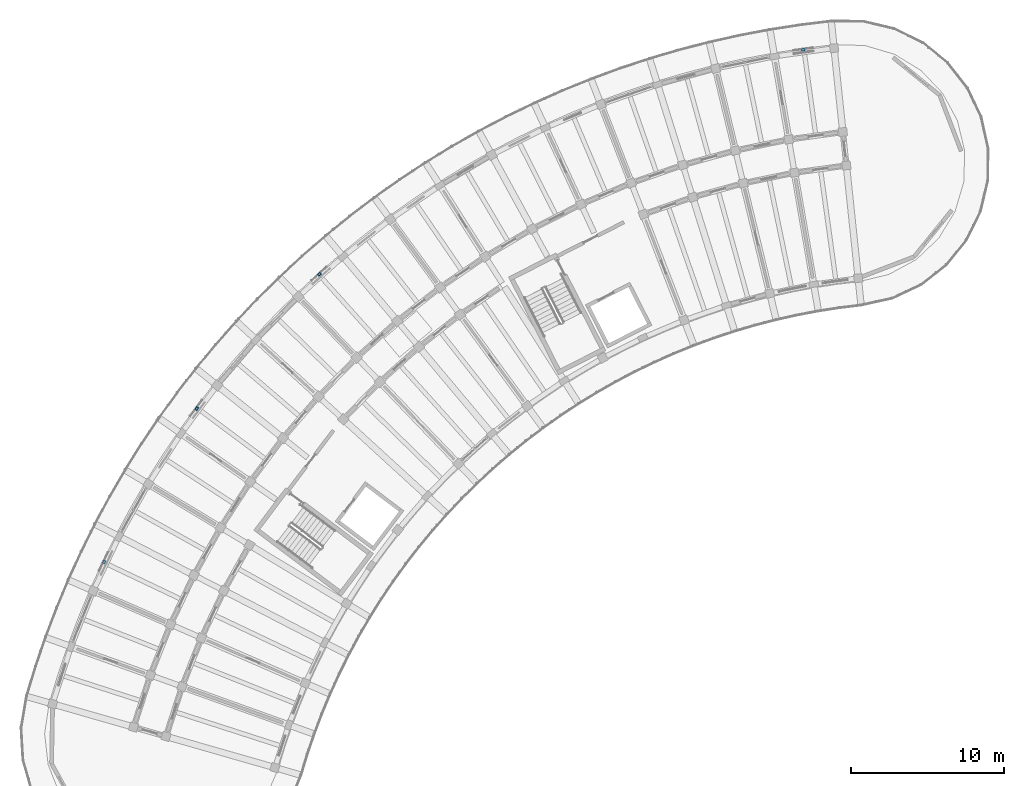
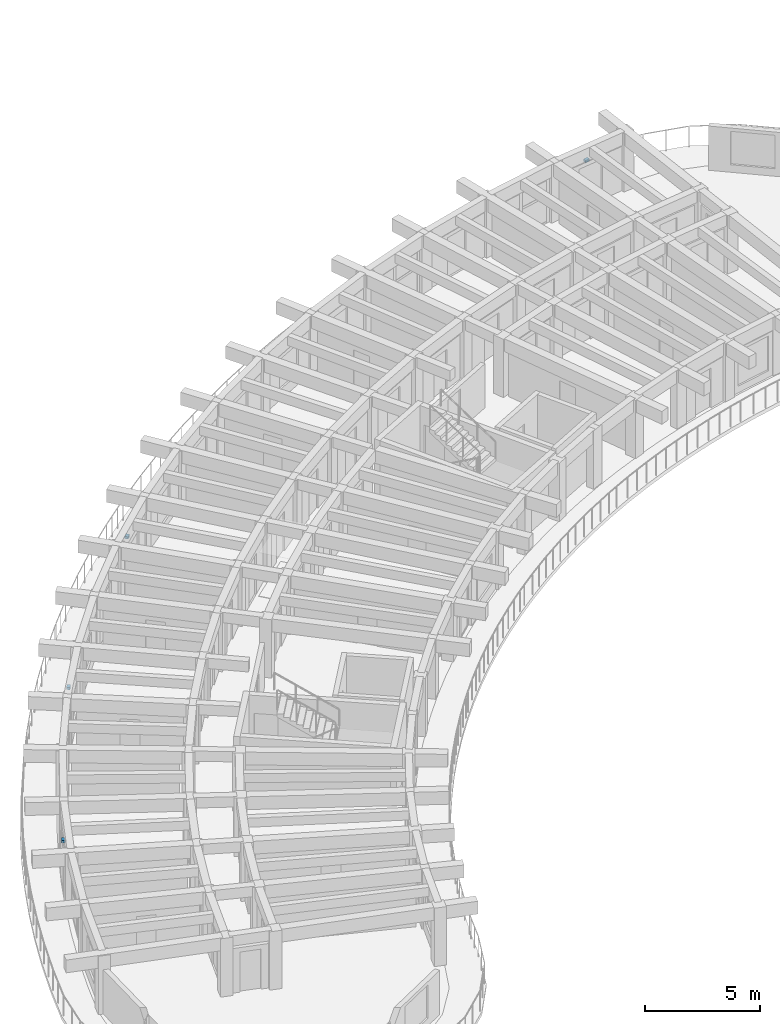
# One storey, part 76 of 96: 4 discrete accessories.
"""IFC4 building model written with IfcOpenShell, lengths in metres."""

from ifc_helpers import new_model, si_unit, direction, frame, origin, origin_2d, place, context, subcontext, project, spatial, rectangle, extrude, material, type_object, element, save


model = new_model("IFC4")

# Units and contexts
model_context = context("Model", 3, precision=1e-05, world=origin(), true_north=direction((0.0, 1.0)))
body_context = subcontext(model_context, "Body", "Model", "MODEL_VIEW")
ifc_project = project(units=[si_unit("LENGTHUNIT", "METRE"), si_unit("AREAUNIT", "SQUARE_METRE"), si_unit("VOLUMEUNIT", "CUBIC_METRE"), si_unit("PLANEANGLEUNIT", "RADIAN"), si_unit("MASSUNIT", "GRAM", prefix="KILO")], contexts=[model_context])

# Site, building, storey
site_placement = place(None, origin())
site = spatial("IfcSite", under=ifc_project, at=site_placement, CompositionType="ELEMENT")
building_placement = place(site_placement, origin())
building = spatial("IfcBuilding", under=site, at=building_placement, Name="Tanwirah Colonnade Gardens", CompositionType="ELEMENT")
storey_placement = place(building_placement, frame((0.0, 0.0, 12.199951171875)))
storey = spatial("IfcBuildingStorey", under=building, at=storey_placement, Name="L03", CompositionType="ELEMENT", Elevation=12.199951171875)

# Discrete accessories
ifc_material = material(Name="Steel S355", Category="steel")
discrete_accessory_type = type_object("IfcDiscreteAccessoryType", Name="BRK-SS1", PredefinedType="BRACKET", material=ifc_material)
for number, where, z_axis, x_axis, name in (
    (1, (56.765380859375, 119.3193359375, 2.14990234375), (0.0, 0.0, 1.0), (-0.990536278911, -0.137251157233, 0.0), "Solar screen support bracket A-L03-00"),
    (2, (25.17724609375, 104.6640625, 2.06005859375), (0.0, 0.0, 1.0), (-0.744443246346, -0.667685744172, 0.0), "Solar screen support bracket A-L03-09"),
    (3, (17.1650390625, 95.9033203125, 2.14990234375), (0.0, 0.0, 1.0), (-0.598713571255, -0.800963207392, 0.0), "Solar screen support bracket A-L03-12"),
    (4, (11.117919921875, 85.88330078125, 2.199951171875), (0.0, 0.0, 1.0), (-0.429636092721, -0.903002119506, 0.0), "Solar screen support bracket A-L03-15"),
):
    element("IfcDiscreteAccessory", number, at=place(storey_placement, frame(where, z_axis=z_axis, x_axis=x_axis)), inside=storey, type_object=discrete_accessory_type, Name=name, PredefinedType="BRACKET", context=body_context, shape_type="SweptSolid", body=[
        extrude(rectangle(XDim=0.219970703125, YDim=0.159912109375, at=origin_2d()), origin(), (0.0, 0.0, 1.0), 0.1201171875),
    ])

save(model, "model.ifc")
